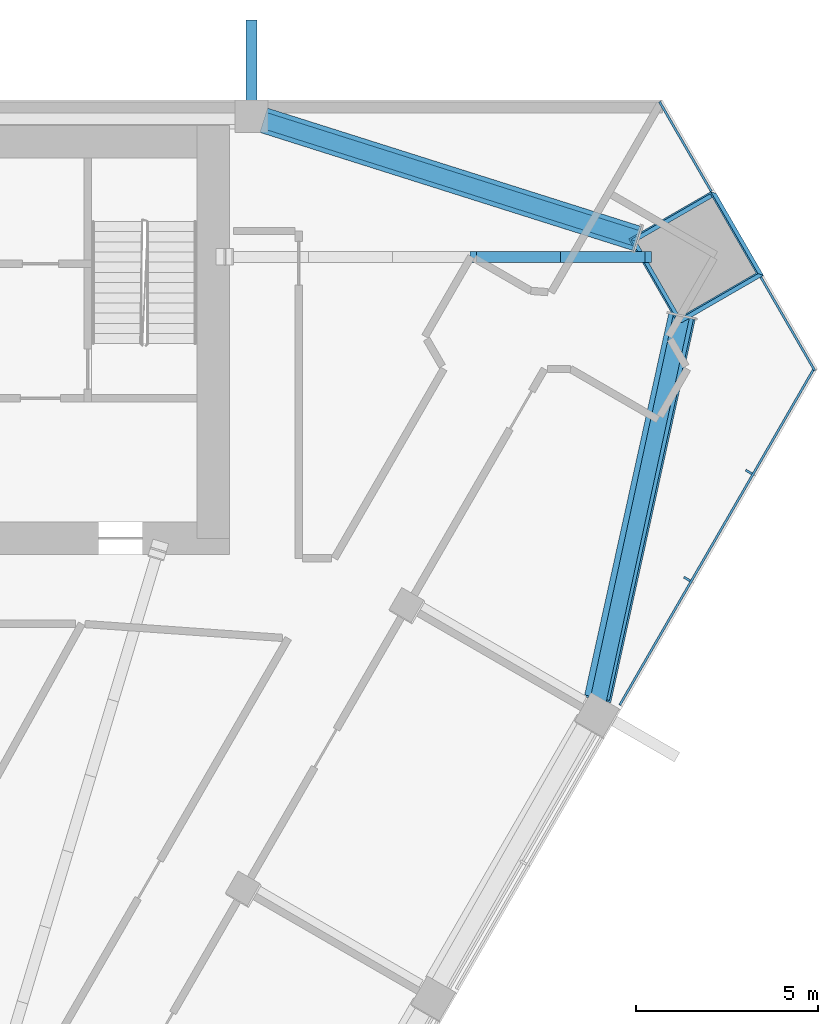
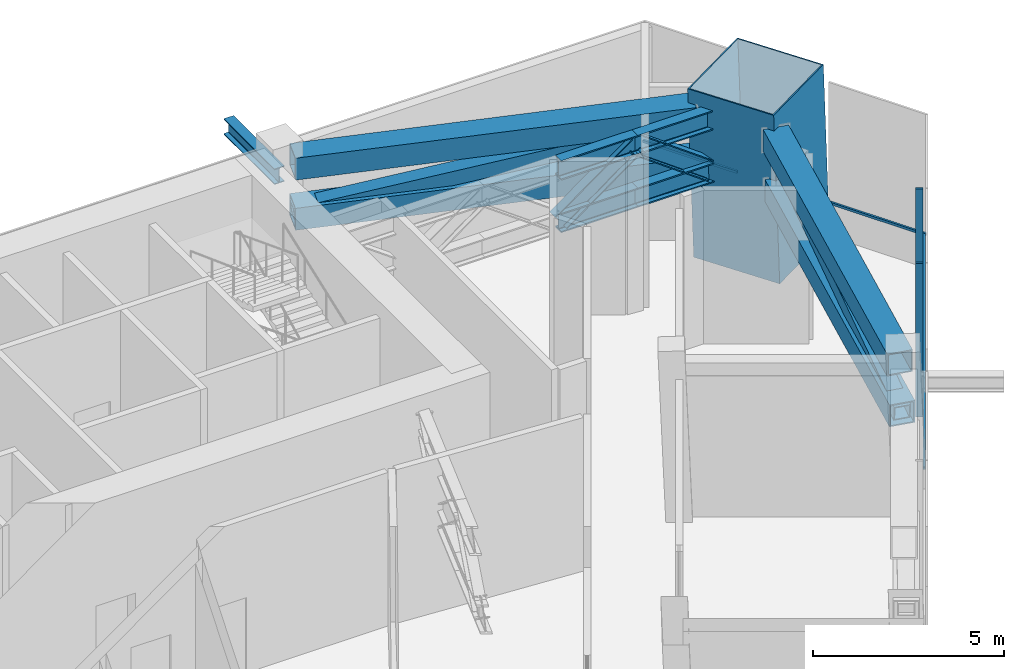
# One storey, part 7 of 15: 19 members, 2 elements without a shape of their own.
"""IFC4 building model written with IfcOpenShell, lengths in metres."""

from ifc_helpers import new_model, si_unit, direction, frame, origin, origin_2d, place, context, subcontext, project, spatial, rectangle, hollow_rectangle, i_section, extrude, material, layer, layer_set, material_profile, profile_set, type_object, element, aggregate, save


model = new_model("IFC4")

# Units and contexts
model_context = context("Model", 3, precision=1e-05, world=origin(), true_north=direction((0.0, 1.0)))
body_context = subcontext(model_context, "Body", "Model", "MODEL_VIEW")
ifc_project = project(units=[si_unit("LENGTHUNIT", "METRE"), si_unit("AREAUNIT", "SQUARE_METRE"), si_unit("VOLUMEUNIT", "CUBIC_METRE"), si_unit("PLANEANGLEUNIT", "RADIAN"), si_unit("MASSUNIT", "GRAM", prefix="KILO")], contexts=[model_context])

# Site, building, storey
site_placement = place(None, origin())
site = spatial("IfcSite", under=ifc_project, at=site_placement, CompositionType="ELEMENT")
building_placement = place(site_placement, origin())
building = spatial("IfcBuilding", under=site, at=building_placement, Name="Altiplano Prism Tower", CompositionType="ELEMENT")
storey_placement = place(building_placement, frame((0.0, 0.0, 95.39990234375)))
storey = spatial("IfcBuildingStorey", under=building, at=storey_placement, Name="L24", CompositionType="ELEMENT", Elevation=95.39990234375)

# Members
ifc_material_1 = material(Name="Steel S355", Category="steel")
ifc_material_profile_1 = material_profile(ifc_material_1, hollow_rectangle(XDim=0.699951171875, YDim=0.699951171875, WallThickness=0.034912109375, at=origin_2d()), Name="Belt chord Box 700x700x35")
ifc_profile_set_1 = profile_set([ifc_material_profile_1], Name="Steel S355")
member_type_1 = type_object("IfcMemberType", Name="Belt chord Box 700x700x35", PredefinedType="CHORD", material=ifc_profile_set_1)
member_1_placement = place(storey_placement, frame((108.037353515625, 88.506103515625, 2.9501953125), z_axis=(0.21524997948, 0.976558982517, 0.0), x_axis=(-0.976558982517, 0.21524997948, 0.0)))
element("IfcMember", 1, at=member_1_placement, inside=storey, type_object=member_type_1, Name="Belt truss R1 chord b1", PredefinedType="CHORD", context=body_context, shape_type="SweptSolid", body=[
    extrude(hollow_rectangle(XDim=0.699951171875, YDim=0.699951171875, WallThickness=0.034912109375, at=origin_2d()), origin(), (0.0, 0.0, 1.0), 10.785400390625),
])
member_2_placement = place(storey_placement, frame((108.001708984375, 88.567626953125, 4.550048828125), z_axis=(0.215273822701, 0.976553726766, 0.0), x_axis=(-0.976553726766, 0.215273822701, 0.0)))
element("IfcMember", 2, at=member_2_placement, inside=storey, type_object=member_type_1, Name="Belt truss R1 chord t1", PredefinedType="CHORD", context=body_context, shape_type="SweptSolid", body=[
    extrude(hollow_rectangle(XDim=0.699951171875, YDim=0.699951171875, WallThickness=0.034912109375, at=origin_2d()), origin(), (0.0, 0.0, 1.0), 10.737548828125),
])
member_3_placement = place(storey_placement, frame((109.117919921875, 101.18798828125, 2.9501953125), z_axis=(-0.953347002782, 0.301876617654, 0.0), x_axis=(-0.301876617654, -0.953347002782, 0.0)))
element("IfcMember", 3, at=member_3_placement, inside=storey, type_object=member_type_1, Name="Belt truss R1 chord b2", PredefinedType="CHORD", context=body_context, shape_type="SweptSolid", body=[
    extrude(hollow_rectangle(XDim=0.699951171875, YDim=0.699951171875, WallThickness=0.034912109375, at=origin_2d()), origin(), (0.0, 0.0, 1.0), 10.785400390625),
])
member_4_placement = place(storey_placement, frame((109.072265625, 101.20263671875, 4.550048828125), z_axis=(-0.953352149801, 0.301860362536, 0.0), x_axis=(-0.301860362536, -0.953352149801, 0.0)))
element("IfcMember", 4, at=member_4_placement, inside=storey, type_object=member_type_1, Name="Belt truss R1 chord t2", PredefinedType="CHORD", context=body_context, shape_type="SweptSolid", body=[
    extrude(hollow_rectangle(XDim=0.699951171875, YDim=0.699951171875, WallThickness=0.034912109375, at=origin_2d()), origin(), (0.0, 0.0, 1.0), 10.737548828125),
])
ifc_material_profile_2 = material_profile(ifc_material_1, hollow_rectangle(XDim=0.449951171875, YDim=0.449951171875, WallThickness=0.02490234375, at=origin_2d()), Name="Belt diagonal Box 450x450x25")
ifc_profile_set_2 = profile_set([ifc_material_profile_2], Name="Steel S355")
member_type_2 = type_object("IfcMemberType", Name="Belt diagonal Box 450x450x25", PredefinedType="BRACE", material=ifc_profile_set_2)
member_5_placement = place(storey_placement, frame((108.035888671875, 88.50634765625, 2.994140625), z_axis=(0.210005254725, 0.969831467681, 0.123793042144), x_axis=(-0.977349180525, 0.211633124363, 0.0)))
element("IfcMember", 5, at=member_5_placement, inside=storey, type_object=member_type_2, Name="Belt truss R1 diagonal 1", PredefinedType="BRACE", context=body_context, shape_type="SweptSolid", body=[
    extrude(hollow_rectangle(XDim=0.449951171875, YDim=0.449951171875, WallThickness=0.02490234375, at=origin_2d()), origin(), (0.0, 0.0, 1.0), 10.9140625),
])
member_6_placement = place(storey_placement, frame((109.110595703125, 101.190673828125, 4.344482421875), z_axis=(-0.945960873519, 0.299504078307, -0.124319478958), x_axis=(-0.301845724338, -0.953356784577, 0.0)))
element("IfcMember", 6, at=member_6_placement, inside=storey, type_object=member_type_2, Name="Belt truss R1 diagonal 2", PredefinedType="BRACE", context=body_context, shape_type="SweptSolid", body=[
    extrude(hollow_rectangle(XDim=0.449951171875, YDim=0.449951171875, WallThickness=0.02490234375, at=origin_2d()), origin(), (0.0, 0.0, 1.0), 10.86181640625),
])
ifc_material_profile_3 = material_profile(ifc_material_1, i_section(OverallWidth=0.300048828125, OverallDepth=0.5, WebThickness=0.014404296875, FlangeThickness=0.028076171875, FilletRadius=0.027099609375, at=origin_2d()), Name="Brace bracket HEB 500")
ifc_profile_set_3 = profile_set([ifc_material_profile_3], Name="Steel S355")
member_type_3 = type_object("IfcMemberType", Name="Brace bracket HEB 500", PredefinedType="STRUT", material=ifc_profile_set_3)
member_7_placement = place(storey_placement, frame((98.5, 104.550048828125, 4.172607421875), z_axis=(0.0, 1.0, 0.0), x_axis=(-1.0, 0.0, 0.0)))
element("IfcMember", 7, at=member_7_placement, inside=storey, type_object=member_type_3, Name="Brace bracket 0.100.8", PredefinedType="STRUT", context=body_context, shape_type="SweptSolid", body=[
    extrude(i_section(OverallWidth=0.300048828125, OverallDepth=0.5, WebThickness=0.014404296875, FlangeThickness=0.028076171875, FilletRadius=0.027099609375, at=origin_2d()), origin(), (0.0, 0.0, 1.0), 2.64990234375),
])

# Curtain wall, members
ifc_material_2 = material(Name="Aluminium and glass", Category="aluminium")
ifc_layer = layer(ifc_material_2, 0.320068359375)
ifc_layer_set = layer_set([ifc_layer], Name="Aluminium and glass")
curtain_wall_type = type_object("IfcCurtainWallType", Name="CW6 louvred plant-floor curtain wall", PredefinedType="NOTDEFINED", material=ifc_layer_set)
curtain_wall_1_placement = place(storey_placement, origin())
curtain_wall_1 = element("IfcCurtainWall", 8, at=curtain_wall_1_placement, inside=storey, type_object=curtain_wall_type, Name="CW6 curtain wall south-east face L24", PredefinedType="NOTDEFINED")
ifc_material_3 = material(Name="Aluminium", Category="aluminium")
ifc_material_profile_4 = material_profile(ifc_material_3, rectangle(XDim=0.199951171875, YDim=0.06005859375, at=origin_2d()), Name="CW6 mullion 60 x 200")
ifc_profile_set_4 = profile_set([ifc_material_profile_4], Name="Aluminium")
member_type_4 = type_object("IfcMemberType", Name="CW6 mullion 60 x 200", PredefinedType="MULLION", material=ifc_profile_set_4)
member_8_placement = place(storey_placement, frame((110.476318359375, 91.830810546875, 0.0), z_axis=(0.0, 0.0, 1.0), x_axis=(-0.86602540498, 0.499999997929, 0.0)))
member_8 = element("IfcMember", 9, at=member_8_placement, type_object=member_type_4, Name="CW6 mullion", PredefinedType="MULLION", context=body_context, shape_type="SweptSolid", body=[
    extrude(rectangle(XDim=0.199951171875, YDim=0.06005859375, at=origin_2d()), origin(), (0.0, 0.0, 1.0), 4.900146484375),
])
member_9_placement = place(storey_placement, frame((112.17529296875, 94.7734375, 0.0), z_axis=(0.0, 0.0, 1.0), x_axis=(-0.86602540498, 0.499999997929, 0.0)))
member_9 = element("IfcMember", 10, at=member_9_placement, type_object=member_type_4, Name="CW6 mullion", PredefinedType="MULLION", context=body_context, shape_type="SweptSolid", body=[
    extrude(rectangle(XDim=0.199951171875, YDim=0.06005859375, at=origin_2d()), origin(), (0.0, 0.0, 1.0), 4.900146484375),
])
ifc_material_profile_5 = material_profile(ifc_material_3, rectangle(XDim=0.06005859375, YDim=0.080078125, at=origin_2d()), Name="CW6 transom 80 x 60")
ifc_profile_set_5 = profile_set([ifc_material_profile_5], Name="Aluminium")
member_type_5 = type_object("IfcMemberType", Name="CW6 transom 80 x 60", PredefinedType="USERDEFINED", material=ifc_profile_set_5)
member_10_placement = place(storey_placement, frame((108.623779296875, 88.3623046875, 1.10009765625), z_axis=(0.499999606647, 0.866025630887, 0.0), x_axis=(-0.866025630887, 0.499999606647, 0.0)))
member_10 = element("IfcMember", 11, at=member_10_placement, type_object=member_type_5, Name="CW6 transom", ObjectType="TRANSOM", PredefinedType="USERDEFINED", context=body_context, shape_type="SweptSolid", body=[
    extrude(rectangle(XDim=0.06005859375, YDim=0.080078125, at=origin_2d()), origin(), (0.0, 0.0, 1.0), 10.72607421875),
])
aggregate(curtain_wall_1, [member_8, member_9, member_10])

curtain_wall_2_placement = place(storey_placement, origin())
curtain_wall_2 = element("IfcCurtainWall", 12, at=curtain_wall_2_placement, inside=storey, type_object=curtain_wall_type, Name="CW6 curtain wall north-east chamfer L24", PredefinedType="NOTDEFINED")
member_11_placement = place(storey_placement, frame((113.98681640625, 97.561279296875, 1.10009765625), z_axis=(-0.499995331975, 0.866028098853, 0.0), x_axis=(-0.866028098853, -0.499995331975, 0.0)))
member_11 = element("IfcMember", 13, at=member_11_placement, type_object=member_type_5, Name="CW6 transom", ObjectType="TRANSOM", PredefinedType="USERDEFINED", context=body_context, shape_type="SweptSolid", body=[
    extrude(rectangle(XDim=0.06005859375, YDim=0.080078125, at=origin_2d()), origin(), (0.0, 0.0, 1.0), 2.96875),
])
member_12_placement = place(storey_placement, frame((111.142333984375, 102.48779296875, 1.10009765625), z_axis=(-0.49995489152, 0.866051445611, 0.0), x_axis=(-0.866051445611, -0.49995489152, 0.0)))
member_12 = element("IfcMember", 14, at=member_12_placement, type_object=member_type_5, Name="CW6 transom", ObjectType="TRANSOM", PredefinedType="USERDEFINED", context=body_context, shape_type="SweptSolid", body=[
    extrude(rectangle(XDim=0.06005859375, YDim=0.080078125, at=origin_2d()), origin(), (0.0, 0.0, 1.0), 2.848876953125),
])
aggregate(curtain_wall_2, [member_11, member_12])

# Members
ifc_material_4 = material(Name="Steel S460", Category="steel")
ifc_material_profile_6 = material_profile(ifc_material_4, hollow_rectangle(XDim=2.60009765625, YDim=2.60009765625, WallThickness=0.0400390625, at=origin_2d()), Name="Mega column tube 2600")
ifc_profile_set_6 = profile_set([ifc_material_profile_6], Name="Steel S460")
member_type_6 = type_object("IfcMemberType", Name="Mega column tube 2600", PredefinedType="POST", material=ifc_profile_set_6)
member_13_placement = place(storey_placement, frame((110.804443359375, 100.653076171875, 0.0), z_axis=(-0.028379226033, 0.009263919326, 0.99955430034), x_axis=(0.499308901277, -0.866139489294, 0.022203742724)))
element("IfcMember", 15, at=member_13_placement, inside=storey, type_object=member_type_6, Name="Mega column tube M2 L24", PredefinedType="POST", context=body_context, shape_type="SweptSolid", body=[
    extrude(hollow_rectangle(XDim=2.60009765625, YDim=2.60009765625, WallThickness=0.0400390625, at=origin_2d()), origin(), (0.0, 0.0, 1.0), 5.402587890625),
])
ifc_material_profile_7 = material_profile(ifc_material_1, i_section(OverallWidth=0.304931640625, OverallDepth=0.6201171875, WebThickness=0.02099609375, FlangeThickness=0.0400390625, FilletRadius=0.027099609375, at=origin_2d()), Name="Outrigger chord HEM 600")
ifc_profile_set_7 = profile_set([ifc_material_profile_7], Name="Steel S355")
member_type_7 = type_object("IfcMemberType", Name="Outrigger chord HEM 600", PredefinedType="CHORD", material=ifc_profile_set_7)
for number, where, z_axis, x_axis, name in (
    (16, (109.31689453125, 100.687744140625, 2.91015625), (-1.0, 0.0, 0.0), (0.0, -1.0, 0.0), "Outrigger truss R1 2 chord b1"),
    (17, (109.31689453125, 100.687744140625, 4.590087890625), (-1.0, 0.0, 0.0), (0.0, -1.0, 0.0), "Outrigger truss R1 2 chord t1"),
):
    element("IfcMember", number, at=place(storey_placement, frame(where, z_axis=z_axis, x_axis=x_axis)), inside=storey, type_object=member_type_7, Name=name, PredefinedType="CHORD", context=body_context, shape_type="SweptSolid", body=[
        extrude(i_section(OverallWidth=0.304931640625, OverallDepth=0.6201171875, WebThickness=0.02099609375, FlangeThickness=0.0400390625, FilletRadius=0.027099609375, at=origin_2d()), origin(), (0.0, 0.0, 1.0), 2.3134765625),
    ])
for number, where, z_axis, x_axis, name in (
    (18, (107.00341796875, 100.687744140625, 2.91015625), (-1.0, 0.0, 0.0), (0.0, -1.0, 0.0), "Outrigger truss R1 2 chord b2"),
    (19, (107.00341796875, 100.687744140625, 4.590087890625), (-1.0, 0.0, 0.0), (0.0, -1.0, 0.0), "Outrigger truss R1 2 chord t2"),
):
    element("IfcMember", number, at=place(storey_placement, frame(where, z_axis=z_axis, x_axis=x_axis)), inside=storey, type_object=member_type_7, Name=name, PredefinedType="CHORD", context=body_context, shape_type="SweptSolid", body=[
        extrude(i_section(OverallWidth=0.304931640625, OverallDepth=0.6201171875, WebThickness=0.02099609375, FlangeThickness=0.0400390625, FilletRadius=0.027099609375, at=origin_2d()), origin(), (0.0, 0.0, 1.0), 2.313232421875),
    ])
ifc_material_profile_8 = material_profile(ifc_material_1, i_section(OverallWidth=0.300048828125, OverallDepth=0.60009765625, WebThickness=0.015380859375, FlangeThickness=0.030029296875, FilletRadius=0.027099609375, at=origin_2d()), Name="Outrigger diagonal HEB 600")
ifc_profile_set_8 = profile_set([ifc_material_profile_8], Name="Steel S355")
member_type_8 = type_object("IfcMemberType", Name="Outrigger diagonal HEB 600", PredefinedType="BRACE", material=ifc_profile_set_8)
member_14_placement = place(storey_placement, frame((109.31689453125, 100.687744140625, 2.91015625), z_axis=(-0.809167899918, 0.0, 0.587577492543), x_axis=(0.0, -1.0, 0.0)))
element("IfcMember", 20, at=member_14_placement, inside=storey, type_object=member_type_8, Name="Outrigger truss R1 2 diagonal 1", PredefinedType="BRACE", context=body_context, shape_type="SweptSolid", body=[
    extrude(i_section(OverallWidth=0.300048828125, OverallDepth=0.60009765625, WebThickness=0.015380859375, FlangeThickness=0.030029296875, FilletRadius=0.027099609375, at=origin_2d()), origin(), (0.0, 0.0, 1.0), 2.859130859375),
])
member_15_placement = place(storey_placement, frame((107.00341796875, 100.687744140625, 4.590087890625), z_axis=(-0.809138415748, 0.0, -0.5876180938), x_axis=(0.0, -1.0, 0.0)))
element("IfcMember", 21, at=member_15_placement, inside=storey, type_object=member_type_8, Name="Outrigger truss R1 2 diagonal 2", PredefinedType="BRACE", context=body_context, shape_type="SweptSolid", body=[
    extrude(i_section(OverallWidth=0.300048828125, OverallDepth=0.60009765625, WebThickness=0.015380859375, FlangeThickness=0.030029296875, FilletRadius=0.027099609375, at=origin_2d()), origin(), (0.0, 0.0, 1.0), 2.85888671875),
])

save(model, "model.ifc")
